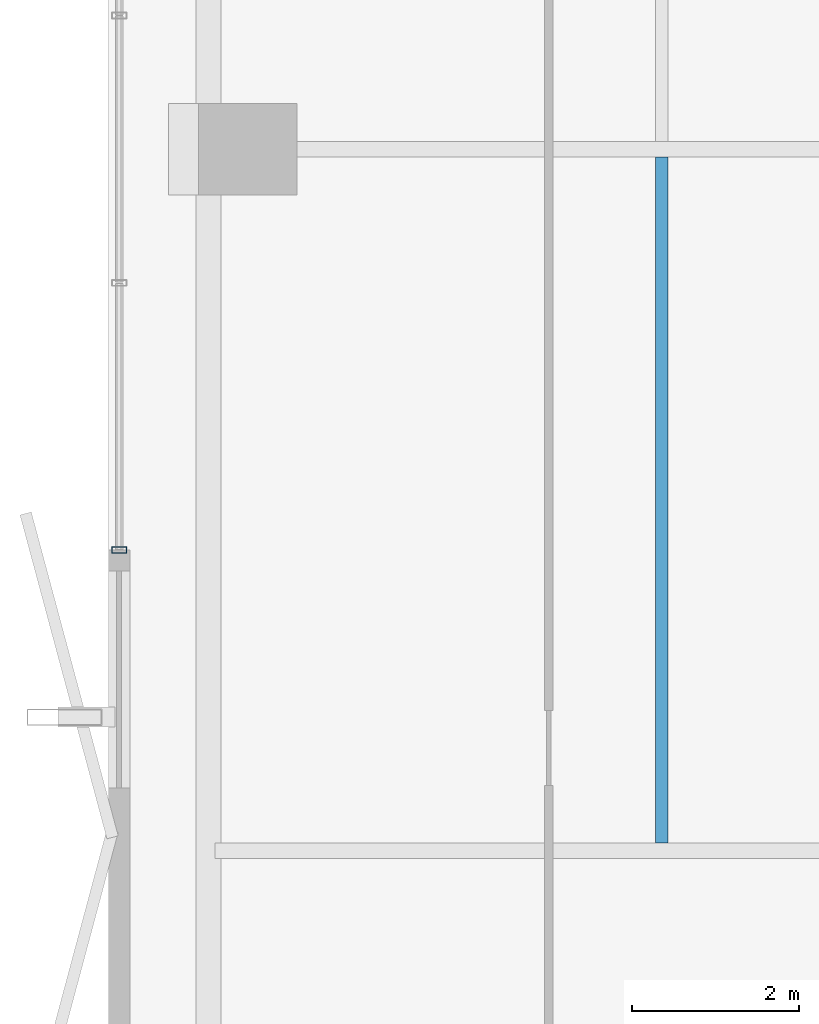
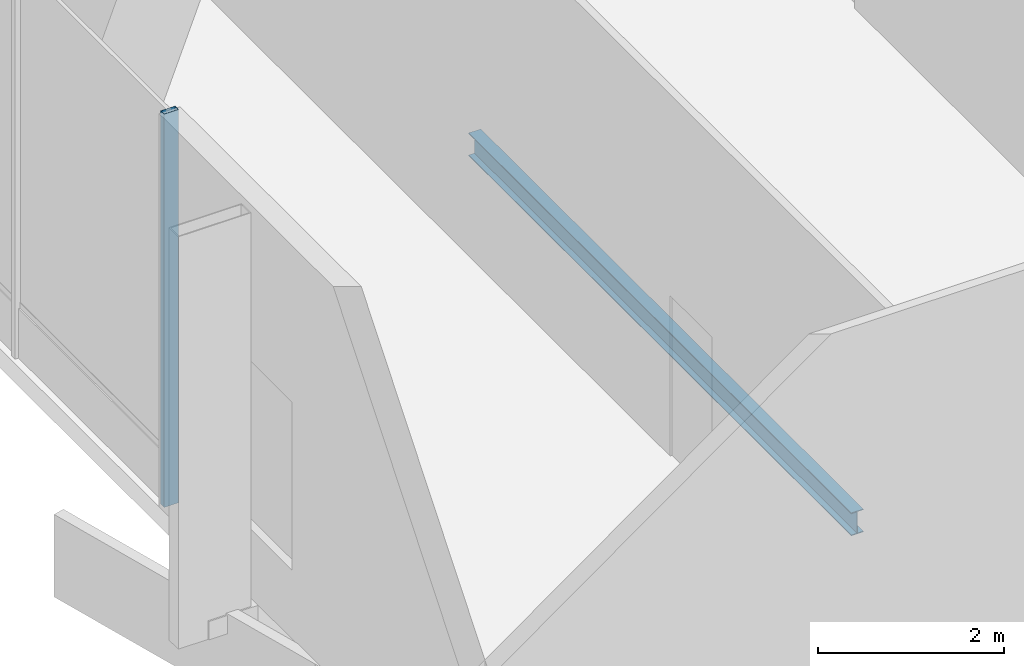
# One storey, part 7 of 33: 1 beam, 1 member, 1 element without a shape of its own.
"""IFC4 building model written with IfcOpenShell, lengths in metres."""

from ifc_helpers import new_model, si_unit, direction, frame, origin, origin_2d, place, context, subcontext, project, spatial, hollow_rectangle, i_section, extrude, material, layer, layer_set, material_profile, profile_set, type_object, element, aggregate, save


model = new_model("IFC4")

# Units and contexts
model_context = context("Model", 3, precision=1e-05, world=origin(), true_north=direction((0.0, 1.0)))
body_context = subcontext(model_context, "Body", "Model", "MODEL_VIEW")
ifc_project = project(units=[si_unit("LENGTHUNIT", "METRE"), si_unit("AREAUNIT", "SQUARE_METRE"), si_unit("VOLUMEUNIT", "CUBIC_METRE"), si_unit("PLANEANGLEUNIT", "RADIAN"), si_unit("MASSUNIT", "GRAM", prefix="KILO")], contexts=[model_context])

# Site, building, storey
site_placement = place(None, origin())
site = spatial("IfcSite", under=ifc_project, at=site_placement, CompositionType="ELEMENT")
building_placement = place(site_placement, origin())
building = spatial("IfcBuilding", under=site, at=building_placement, Name="Belovzor Exchange Tower", CompositionType="ELEMENT")
storey_placement = place(building_placement, frame((0.0, 0.0, 241.199951171875)))
storey = spatial("IfcBuildingStorey", under=building, at=storey_placement, Name="L60", CompositionType="ELEMENT", Elevation=241.199951171875)

# Beam
ifc_material_1 = material(Name="Steel S355", Category="steel")
ifc_material_profile_1 = material_profile(ifc_material_1, i_section(OverallWidth=0.14990234375, OverallDepth=0.300048828125, WebThickness=0.007080078125, FlangeThickness=0.0107421875, at=origin_2d()))
ifc_profile_set_1 = profile_set([ifc_material_profile_1], Name="Steel S355")
beam_type = type_object("IfcBeamType", Name="Secondary Trim Floor Joist IPE 300", PredefinedType="BEAM", material=ifc_profile_set_1)
beam_placement = place(storey_placement, frame((8.427001953125, 20.4951171875, -0.39990234375), z_axis=(0.0, 1.0, 0.0), x_axis=(-1.0, 0.0, 0.0)))
element("IfcBeam", 1, at=beam_placement, inside=storey, type_object=beam_type, Name="FJ-300 Secondary Trim Floor Joist IPE 300", PredefinedType="BEAM", context=body_context, shape_type="SweptSolid", body=[
    extrude(i_section(OverallWidth=0.14990234375, OverallDepth=0.300048828125, WebThickness=0.007080078125, FlangeThickness=0.0107421875, at=origin_2d()), origin(), (0.0, 0.0, 1.0), 8.2099609375),
])

# Curtain wall, member
ifc_material_2 = material(Name="Anodised Aluminium Framing", Category="aluminium")
ifc_layer = layer(ifc_material_2, 0.239990234375)
ifc_layer_set = layer_set([ifc_layer], Name="Anodised Aluminium Framing")
curtain_wall_type = type_object("IfcCurtainWallType", Name="Sky-Lobby Double-Skin Acoustic Curtain Wall", PredefinedType="NOTDEFINED", material=ifc_layer_set)
curtain_wall_placement = place(storey_placement, origin())
curtain_wall = element("IfcCurtainWall", 2, at=curtain_wall_placement, inside=storey, type_object=curtain_wall_type, Name="CW4 Sky-Lobby Double-Skin Acoustic Curtain Wall L60", PredefinedType="NOTDEFINED")
ifc_material_3 = material(Name="Steel S355", Category="steel")
ifc_material_profile_2 = material_profile(ifc_material_3, hollow_rectangle(XDim=0.074951171875, YDim=0.179931640625, WallThickness=0.0048828125, at=origin_2d()))
ifc_profile_set_2 = profile_set([ifc_material_profile_2], Name="Steel S355")
member_type = type_object("IfcMemberType", Name="Thermally Broken Curtain Wall Mullion 180x75", PredefinedType="MULLION", material=ifc_profile_set_2)
member_placement = place(storey_placement, frame((1.929931640625, 24.0, 0.0), z_axis=(0.0, 0.0, 1.0), x_axis=(0.0, 1.0, 0.0)))
member = element("IfcMember", 3, at=member_placement, type_object=member_type, Name="CW-M180 Curtain Wall Mullion 1", PredefinedType="MULLION", context=body_context, shape_type="SweptSolid", body=[
    extrude(hollow_rectangle(XDim=0.074951171875, YDim=0.179931640625, WallThickness=0.0048828125, at=origin_2d()), origin(), (0.0, 0.0, 1.0), 5.150146484375),
])
aggregate(curtain_wall, [member])

save(model, "model.ifc")
